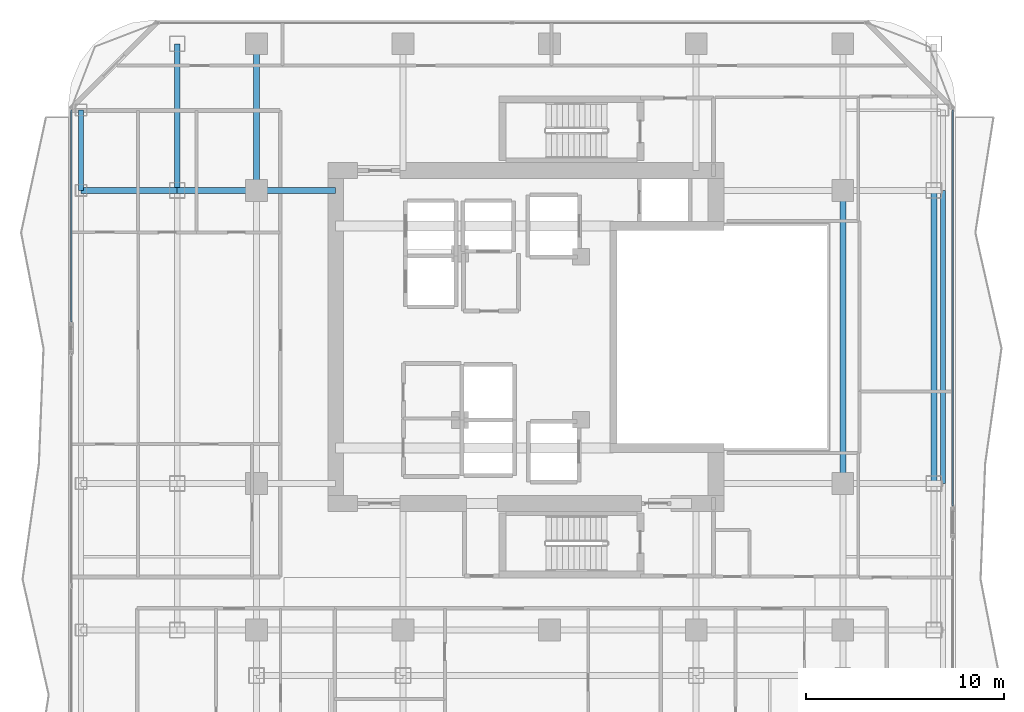
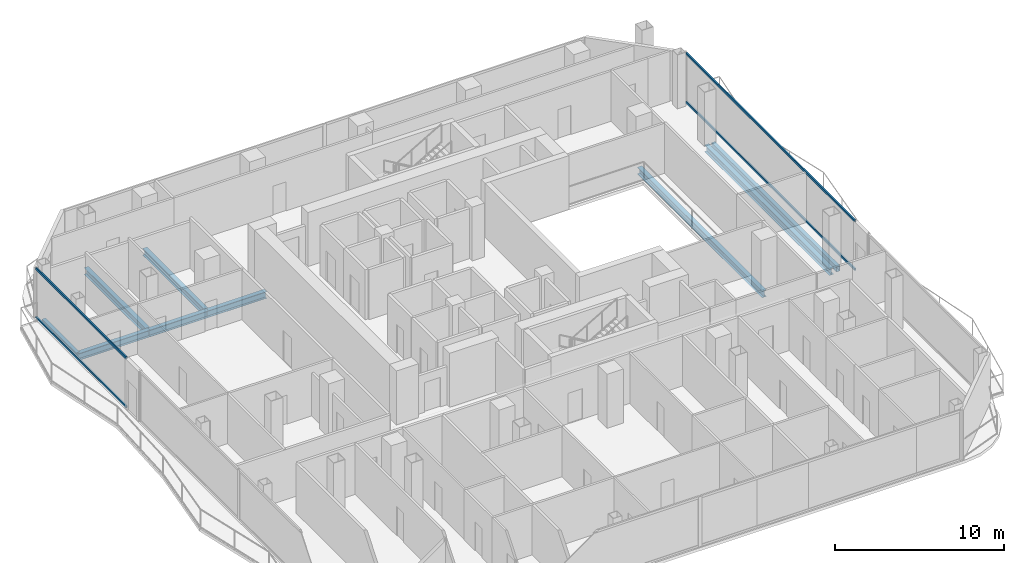
# One storey, part 10 of 23: 9 beams, 4 members, 2 elements without a shape of their own.
"""IFC4 building model written with IfcOpenShell, lengths in metres."""

from ifc_helpers import new_model, si_unit, direction, frame, origin, origin_2d, place, context, subcontext, project, spatial, hollow_rectangle, i_section, extrude, material, layer, layer_set, material_profile, profile_set, type_object, element, aggregate, save


model = new_model("IFC4")

# Units and contexts
model_context = context("Model", 3, precision=1e-05, world=origin(), true_north=direction((0.0, 1.0)))
body_context = subcontext(model_context, "Body", "Model", "MODEL_VIEW")
ifc_project = project(units=[si_unit("LENGTHUNIT", "METRE"), si_unit("AREAUNIT", "SQUARE_METRE"), si_unit("VOLUMEUNIT", "CUBIC_METRE"), si_unit("PLANEANGLEUNIT", "RADIAN"), si_unit("MASSUNIT", "GRAM", prefix="KILO")], contexts=[model_context])

# Site, building, storey
site_placement = place(None, origin())
site = spatial("IfcSite", under=ifc_project, at=site_placement, CompositionType="ELEMENT")
building_placement = place(site_placement, origin())
building = spatial("IfcBuilding", under=site, at=building_placement, Name="Khorvyn Point Tower", CompositionType="ELEMENT")
storey_placement = place(building_placement, frame((0.0, 0.0, 207.0)))
storey = spatial("IfcBuildingStorey", under=building, at=storey_placement, Name="L51", CompositionType="ELEMENT", Elevation=207.0)

# Curtain wall, members
ifc_material_1 = material(Name="Anodised aluminium 6063-T6 and laminated Low-E glass", Category="aluminium")
ifc_layer = layer(ifc_material_1, 0.18994140625)
ifc_layer_set = layer_set([ifc_layer], Name="Stick-Built Acoustic Curtain Wall CW-SYS-03")
curtain_wall_type = type_object("IfcCurtainWallType", Name="Stick-Built Acoustic Curtain Wall CW-SYS-03", PredefinedType="NOTDEFINED", material=ifc_layer_set)
curtain_wall_1_placement = place(storey_placement, origin())
curtain_wall_1 = element("IfcCurtainWall", 1, at=curtain_wall_1_placement, inside=storey, type_object=curtain_wall_type, Name="Curtain Wall", PredefinedType="NOTDEFINED")
ifc_material_2 = material(Name="Anodised aluminium 6063-T6", Category="aluminium")
ifc_material_profile_1 = material_profile(ifc_material_2, hollow_rectangle(XDim=0.10009765625, YDim=0.159912109375, WallThickness=0.00439453125, at=origin_2d()))
ifc_profile_set_1 = profile_set([ifc_material_profile_1], Name="Anodised aluminium 6063-T6 ALU-TRN-100x160")
member_type = type_object("IfcMemberType", Name="Anodised Aluminium 6063-T6 Transom ALU-TRN-100x160", PredefinedType="USERDEFINED", material=ifc_profile_set_1)
member_1_placement = place(storey_placement, frame((-24.14990234375, 0.757080078125, 0.050048828125), z_axis=(0.0, 1.0, 0.0), x_axis=(-1.0, 0.0, 0.0)))
member_1 = element("IfcMember", 2, at=member_1_placement, type_object=member_type, Name="Transom", ObjectType="TRANSOM", PredefinedType="USERDEFINED", context=body_context, shape_type="SweptSolid", body=[
    extrude(hollow_rectangle(XDim=0.10009765625, YDim=0.159912109375, WallThickness=0.00439453125, at=origin_2d()), origin(), (0.0, 0.0, 1.0), 10.69287109375),
])
member_2_placement = place(storey_placement, frame((-24.14990234375, 0.757080078125, 3.570068359375), z_axis=(0.0, 1.0, 0.0), x_axis=(-1.0, 0.0, 0.0)))
member_2 = element("IfcMember", 3, at=member_2_placement, type_object=member_type, Name="Transom", ObjectType="TRANSOM", PredefinedType="USERDEFINED", context=body_context, shape_type="SweptSolid", body=[
    extrude(hollow_rectangle(XDim=0.10009765625, YDim=0.159912109375, WallThickness=0.00439453125, at=origin_2d()), origin(), (0.0, 0.0, 1.0), 10.69287109375),
])
aggregate(curtain_wall_1, [member_1, member_2])

curtain_wall_2_placement = place(storey_placement, origin())
curtain_wall_2 = element("IfcCurtainWall", 4, at=curtain_wall_2_placement, inside=storey, type_object=curtain_wall_type, Name="Curtain Wall", PredefinedType="NOTDEFINED")
member_3_placement = place(storey_placement, frame((20.35009765625, 11.449951171875, 0.050048828125), z_axis=(0.0, -1.0, 0.0), x_axis=(1.0, 0.0, 0.0)))
member_3 = element("IfcMember", 5, at=member_3_placement, type_object=member_type, Name="Transom", ObjectType="TRANSOM", PredefinedType="USERDEFINED", context=body_context, shape_type="SweptSolid", body=[
    extrude(hollow_rectangle(XDim=0.10009765625, YDim=0.159912109375, WallThickness=0.00439453125, at=origin_2d()), origin(), (0.0, 0.0, 1.0), 19.9970703125),
])
member_4_placement = place(storey_placement, frame((20.35009765625, 11.449951171875, 3.570068359375), z_axis=(0.0, -1.0, 0.0), x_axis=(1.0, 0.0, 0.0)))
member_4 = element("IfcMember", 6, at=member_4_placement, type_object=member_type, Name="Transom", ObjectType="TRANSOM", PredefinedType="USERDEFINED", context=body_context, shape_type="SweptSolid", body=[
    extrude(hollow_rectangle(XDim=0.10009765625, YDim=0.159912109375, WallThickness=0.00439453125, at=origin_2d()), origin(), (0.0, 0.0, 1.0), 19.9970703125),
])
aggregate(curtain_wall_2, [member_3, member_4])

# Beams
ifc_material_3 = material(Name="Steel S355", Category="steel")
ifc_material_profile_2 = material_profile(ifc_material_3, i_section(OverallWidth=0.300048828125, OverallDepth=0.488037109375, WebThickness=0.010986328125, FlangeThickness=0.01806640625, at=origin_2d()))
ifc_profile_set_2 = profile_set([ifc_material_profile_2], Name="Steel S355 H488x300x11x18")
beam_type_1 = type_object("IfcBeamType", Name="Steel S355 Spandrel H488x300x11x18", PredefinedType="SPANDREL", material=ifc_profile_set_2)
beam_1_placement = place(storey_placement, frame((-23.64990234375, 7.39990234375, -0.464111328125), z_axis=(1.0, 0.0, 0.0), x_axis=(0.0, 1.0, 0.0)))
element("IfcBeam", 7, at=beam_1_placement, inside=storey, type_object=beam_type_1, Name="Beam", PredefinedType="SPANDREL", context=body_context, shape_type="SweptSolid", body=[
    extrude(i_section(OverallWidth=0.300048828125, OverallDepth=0.488037109375, WebThickness=0.010986328125, FlangeThickness=0.01806640625, at=origin_2d()), origin(), (0.0, 0.0, 1.0), 4.849853515625),
])
for number, where, z_axis, x_axis, name in (
    (8, (-18.800048828125, 7.39990234375, -0.464111328125), (1.0, 0.0, 0.0), (0.0, 1.0, 0.0), "Beam"),
    (9, (-14.800048828125, 7.39990234375, -0.464111328125), (1.0, 0.0, 0.0), (0.0, 1.0, 0.0), "Beam"),
):
    element("IfcBeam", number, at=place(storey_placement, frame(where, z_axis=z_axis, x_axis=x_axis)), inside=storey, type_object=beam_type_1, Name=name, PredefinedType="SPANDREL", context=body_context, shape_type="SweptSolid", body=[
        extrude(i_section(OverallWidth=0.300048828125, OverallDepth=0.488037109375, WebThickness=0.010986328125, FlangeThickness=0.01806640625, at=origin_2d()), origin(), (0.0, 0.0, 1.0), 4.0),
    ])
beam_2_placement = place(storey_placement, frame((-14.800048828125, 7.39990234375, -0.464111328125), z_axis=(0.0, 1.0, 0.0), x_axis=(-1.0, 0.0, 0.0)))
element("IfcBeam", 10, at=beam_2_placement, inside=storey, type_object=beam_type_1, Name="Beam", PredefinedType="SPANDREL", context=body_context, shape_type="SweptSolid", body=[
    extrude(i_section(OverallWidth=0.300048828125, OverallDepth=0.488037109375, WebThickness=0.010986328125, FlangeThickness=0.01806640625, at=origin_2d()), origin(), (0.0, 0.0, 1.0), 7.400146484375),
])
beam_3_placement = place(storey_placement, frame((14.800048828125, -7.39990234375, -0.464111328125), z_axis=(0.0, 1.0, 0.0), x_axis=(-1.0, 0.0, 0.0)))
element("IfcBeam", 11, at=beam_3_placement, inside=storey, type_object=beam_type_1, Name="Beam", PredefinedType="SPANDREL", context=body_context, shape_type="SweptSolid", body=[
    extrude(i_section(OverallWidth=0.300048828125, OverallDepth=0.488037109375, WebThickness=0.010986328125, FlangeThickness=0.01806640625, at=origin_2d()), origin(), (0.0, 0.0, 1.0), 14.7998046875),
])
beam_4_placement = place(storey_placement, frame((-18.800048828125, 7.39990234375, -0.464111328125), z_axis=(0.0, 1.0, 0.0), x_axis=(-1.0, 0.0, 0.0)))
element("IfcBeam", 12, at=beam_4_placement, inside=storey, type_object=beam_type_1, Name="Beam", PredefinedType="SPANDREL", context=body_context, shape_type="SweptSolid", body=[
    extrude(i_section(OverallWidth=0.300048828125, OverallDepth=0.488037109375, WebThickness=0.010986328125, FlangeThickness=0.01806640625, at=origin_2d()), origin(), (0.0, 0.0, 1.0), 7.400146484375),
])
beam_5_placement = place(storey_placement, frame((19.39990234375, -7.39990234375, -0.464111328125), z_axis=(0.0, 1.0, 0.0), x_axis=(-1.0, 0.0, 0.0)))
element("IfcBeam", 13, at=beam_5_placement, inside=storey, type_object=beam_type_1, Name="Beam", PredefinedType="SPANDREL", context=body_context, shape_type="SweptSolid", body=[
    extrude(i_section(OverallWidth=0.300048828125, OverallDepth=0.488037109375, WebThickness=0.010986328125, FlangeThickness=0.01806640625, at=origin_2d()), origin(), (0.0, 0.0, 1.0), 14.7998046875),
])
ifc_material_profile_3 = material_profile(ifc_material_3, hollow_rectangle(XDim=0.25, YDim=0.39990234375, WallThickness=0.01611328125, at=origin_2d()))
ifc_profile_set_3 = profile_set([ifc_material_profile_3], Name="Steel S355 RHS400x250x16")
beam_type_2 = type_object("IfcBeamType", Name="Steel S355 Spandrel RHS400x250x16", PredefinedType="SPANDREL", material=ifc_profile_set_3)
beam_6_placement = place(storey_placement, frame((-23.64990234375, 7.39990234375, -0.419921875), z_axis=(0.0, 1.0, 0.0), x_axis=(-1.0, 0.0, 0.0)))
element("IfcBeam", 14, at=beam_6_placement, inside=storey, type_object=beam_type_2, Name="Beam", PredefinedType="SPANDREL", context=body_context, shape_type="SweptSolid", body=[
    extrude(hollow_rectangle(XDim=0.25, YDim=0.39990234375, WallThickness=0.01611328125, at=origin_2d()), origin(), (0.0, 0.0, 1.0), 4.050048828125),
])
beam_7_placement = place(storey_placement, frame((19.85009765625, -7.39990234375, -0.419921875), z_axis=(0.0, 1.0, 0.0), x_axis=(-1.0, 0.0, 0.0)))
element("IfcBeam", 15, at=beam_7_placement, inside=storey, type_object=beam_type_2, Name="Beam", PredefinedType="SPANDREL", context=body_context, shape_type="SweptSolid", body=[
    extrude(hollow_rectangle(XDim=0.25, YDim=0.39990234375, WallThickness=0.01611328125, at=origin_2d()), origin(), (0.0, 0.0, 1.0), 14.7998046875),
])

save(model, "model.ifc")
